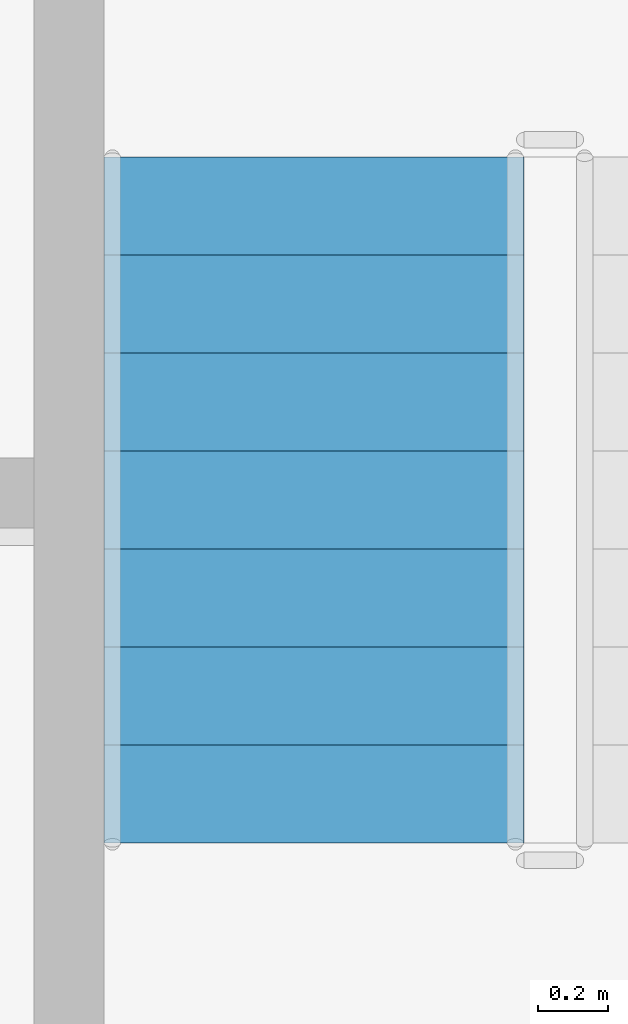
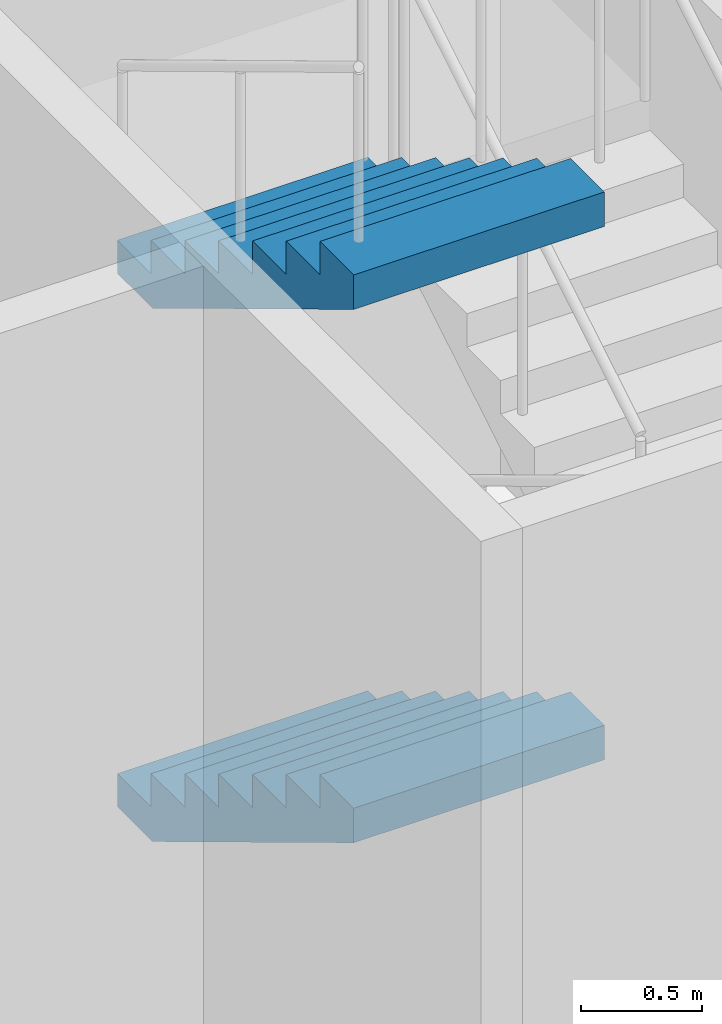
# One storey, part 41 of 101: 2 stair flights, 1 element without a shape of its own.
"""IFC4 building model written with IfcOpenShell, lengths in metres."""

from ifc_helpers import new_model, si_unit, direction, frame, origin, place, context, subcontext, project, spatial, triangles, material, type_object, element, aggregate, save


model = new_model("IFC4")

# Units and contexts
model_context = context("Model", 3, precision=1e-05, world=origin(), true_north=direction((0.0, 1.0)))
body_context = subcontext(model_context, "Body", "Model", "MODEL_VIEW")
ifc_project = project(units=[si_unit("LENGTHUNIT", "METRE"), si_unit("AREAUNIT", "SQUARE_METRE"), si_unit("VOLUMEUNIT", "CUBIC_METRE"), si_unit("PLANEANGLEUNIT", "RADIAN"), si_unit("MASSUNIT", "GRAM", prefix="KILO")], contexts=[model_context])

# Site, building, storey
site_placement = place(None, origin())
site = spatial("IfcSite", under=ifc_project, at=site_placement, CompositionType="ELEMENT")
building_placement = place(site_placement, origin())
building = spatial("IfcBuilding", under=site, at=building_placement, Name="Magnolia Steps Interchange", CompositionType="ELEMENT")
storey_placement = place(building_placement, frame((0.0, 0.0, -5.39990234375)))
storey = spatial("IfcBuildingStorey", under=building, at=storey_placement, Name="B1", CompositionType="ELEMENT", Elevation=-5.39990234375)

# Stair, stair flights
ifc_material_1 = material(Name="Concrete C40", Category="concrete")
stair_type = type_object("IfcStairType", Name="Exit stair 1200", PredefinedType="HALF_TURN_STAIR", material=ifc_material_1)
stair_placement = place(storey_placement, origin())
stair = element("IfcStair", 1, at=stair_placement, inside=storey, type_object=stair_type, Name="B1 Stair 18", PredefinedType="HALF_TURN_STAIR")
ifc_material_2 = material(Name="Concrete C40", Category="concrete")
stair_flight_type = type_object("IfcStairFlightType", Name="Exit stair flight", PredefinedType="STRAIGHT", material=ifc_material_2)
stair_flight_1_placement = place(storey_placement, frame((50.75, 40.659912109375, 1.349853515625), z_axis=(0.0, 0.0, 1.0), x_axis=(0.0, -1.0, 0.0)))
stair_flight_1 = element("IfcStairFlight", 2, at=stair_flight_1_placement, type_object=stair_flight_type, Name="Stair 18 flight 2", NumberOfRisers=8, NumberOfTreads=7, PredefinedType="STRAIGHT", RiserHeight=0.16875, TreadLength=0.28, context=body_context, shape_type="Tessellation", body=[
    triangles([(0.0, -0.5999755859375, 0.0), (0.29052734375, -0.5999755859375, 0.0), (1.9599609375, -0.5999755859375, 1.00634765625), (1.9599609375, -0.5999755859375, 1.18115234375), (1.679931640625, -0.5999755859375, 1.18115234375), (1.679931640625, -0.5999755859375, 1.012451171875), (1.39990234375, -0.5999755859375, 1.012451171875), (1.39990234375, -0.5999755859375, 0.84375), (1.1201171875, -0.5999755859375, 0.84375), (1.1201171875, -0.5999755859375, 0.675048828125), (0.840087890625, -0.5999755859375, 0.675048828125), (0.840087890625, -0.5999755859375, 0.50634765625), (0.56005859375, -0.5999755859375, 0.50634765625), (0.56005859375, -0.5999755859375, 0.33740234375), (0.280029296875, -0.5999755859375, 0.33740234375), (0.280029296875, -0.5999755859375, 0.168701171875), (0.0, -0.5999755859375, 0.168701171875), (0.0, 0.5999755859375, 0.0), (0.29052734375, 0.5999755859375, 0.0), (1.9599609375, 0.5999755859375, 1.00634765625), (1.9599609375, 0.5999755859375, 1.18115234375), (1.679931640625, 0.5999755859375, 1.18115234375), (1.679931640625, 0.5999755859375, 1.012451171875), (1.39990234375, 0.5999755859375, 1.012451171875), (1.39990234375, 0.5999755859375, 0.84375), (1.1201171875, 0.5999755859375, 0.84375), (1.1201171875, 0.5999755859375, 0.675048828125), (0.840087890625, 0.5999755859375, 0.675048828125), (0.840087890625, 0.5999755859375, 0.50634765625), (0.56005859375, 0.5999755859375, 0.50634765625), (0.56005859375, 0.5999755859375, 0.33740234375), (0.280029296875, 0.5999755859375, 0.33740234375), (0.280029296875, 0.5999755859375, 0.168701171875), (0.0, 0.5999755859375, 0.168701171875), (0.0, 0.0, 0.0), (0.0, 0.0, 0.04217529296875), (0.0, 0.0, 0.0843505859375), (0.0, 0.0, 0.12652587890625), (0.0, 0.0, 0.168701171875), (0.0, -0.05, 0.0), (0.0, -0.05, 0.168701171875), (0.0, 0.05, 0.0), (0.0, 0.05, 0.168701171875), (0.046671549479166664, 0.0, 0.168701171875), (0.09334309895833333, 0.0, 0.168701171875), (0.1400146484375, 0.0, 0.168701171875), (0.18668619791666666, 0.0, 0.168701171875), (0.23335774739583334, 0.0, 0.168701171875), (0.280029296875, 0.0, 0.168701171875), (0.280029296875, -0.05, 0.168701171875), (0.280029296875, 0.05, 0.168701171875), (0.280029296875, 0.0, 0.21087646484375), (0.280029296875, 0.0, 0.2530517578125), (0.280029296875, 0.0, 0.29522705078125), (0.280029296875, 0.0, 0.33740234375), (0.280029296875, -0.05, 0.33740234375), (0.280029296875, 0.05, 0.33740234375), (0.3267008463541667, 0.0, 0.33740234375), (0.3733723958333333, 0.0, 0.33740234375), (0.4200439453125, 0.0, 0.33740234375), (0.46671549479166663, 0.0, 0.33740234375), (0.5133870442708334, 0.0, 0.33740234375), (0.56005859375, 0.0, 0.33740234375), (0.56005859375, -0.05, 0.33740234375), (0.56005859375, 0.05, 0.33740234375), (0.56005859375, 0.0, 0.379638671875), (0.56005859375, 0.0, 0.421875), (0.56005859375, 0.0, 0.464111328125), (0.56005859375, 0.0, 0.50634765625), (0.56005859375, -0.05, 0.50634765625), (0.56005859375, 0.05, 0.50634765625), (0.6067301432291666, 0.0, 0.50634765625), (0.6534016927083334, 0.0, 0.50634765625), (0.7000732421875, 0.0, 0.50634765625), (0.7467447916666666, 0.0, 0.50634765625), (0.7934163411458334, 0.0, 0.50634765625), (0.840087890625, 0.0, 0.50634765625), (0.840087890625, -0.05, 0.50634765625), (0.840087890625, 0.05, 0.50634765625), (0.840087890625, 0.0, 0.54852294921875), (0.840087890625, 0.0, 0.5906982421875), (0.840087890625, 0.0, 0.63287353515625), (0.840087890625, 0.0, 0.675048828125), (0.840087890625, -0.05, 0.675048828125), (0.840087890625, 0.05, 0.675048828125), (0.8867594401041666, 0.0, 0.675048828125), (0.9334309895833334, 0.0, 0.675048828125), (0.9801025390625, 0.0, 0.675048828125), (1.0267740885416667, 0.0, 0.675048828125), (1.0734456380208333, 0.0, 0.675048828125), (1.1201171875, 0.0, 0.675048828125), (1.1201171875, -0.05, 0.675048828125), (1.1201171875, 0.05, 0.675048828125), (1.1201171875, 0.0, 0.71722412109375), (1.1201171875, 0.0, 0.7593994140625), (1.1201171875, 0.0, 0.80157470703125), (1.1201171875, 0.0, 0.84375), (1.1201171875, -0.05, 0.84375), (1.1201171875, 0.05, 0.84375), (1.1900634765625, 0.0, 0.84375), (1.260009765625, 0.0, 0.84375), (1.3299560546875, 0.0, 0.84375), (1.39990234375, 0.0, 0.84375), (1.39990234375, -0.05, 0.84375), (1.39990234375, 0.05, 0.84375), (1.39990234375, 0.0, 0.88592529296875), (1.39990234375, 0.0, 0.9281005859375), (1.39990234375, 0.0, 0.97027587890625), (1.39990234375, 0.0, 1.012451171875), (1.39990234375, -0.05, 1.012451171875), (1.39990234375, 0.05, 1.012451171875), (1.4465738932291667, 0.0, 1.012451171875), (1.4932454427083333, 0.0, 1.012451171875), (1.5399169921875, 0.0, 1.012451171875), (1.5865885416666667, 0.0, 1.012451171875), (1.6332600911458333, 0.0, 1.012451171875), (1.679931640625, 0.0, 1.012451171875), (1.679931640625, -0.05, 1.012451171875), (1.679931640625, 0.05, 1.012451171875), (1.679931640625, 0.0, 1.05462646484375), (1.679931640625, 0.0, 1.0968017578125), (1.679931640625, 0.0, 1.13897705078125), (1.679931640625, 0.0, 1.18115234375), (1.679931640625, -0.05, 1.18115234375), (1.679931640625, 0.05, 1.18115234375), (1.7266031901041667, 0.0, 1.18115234375), (1.7732747395833333, 0.0, 1.18115234375), (1.8199462890625, 0.0, 1.18115234375), (1.8666178385416667, 0.0, 1.18115234375), (1.9132893880208333, 0.0, 1.18115234375), (1.9599609375, 0.0, 1.18115234375), (1.9599609375, -0.05, 1.18115234375), (1.9599609375, 0.05, 1.18115234375), (1.9599609375, 0.0, 1.137451171875), (1.9599609375, 0.0, 1.09375), (1.9599609375, 0.0, 1.050048828125), (1.9599609375, 0.0, 1.00634765625), (1.9599609375, -0.05, 1.00634765625), (1.9599609375, 0.05, 1.00634765625), (1.9003383091517858, 0.0, 0.9704066685267857), (1.8407156808035714, 0.0, 0.9344656808035714), (1.7810930524553572, 0.0, 0.8985246930803571), (1.7214704241071428, 0.0, 0.8625837053571428), (1.6618477957589286, 0.0, 0.8266427176339286), (1.6022251674107144, 0.0, 0.7907017299107143), (1.5426025390625, 0.0, 0.7547607421875), (1.4829799107142856, 0.0, 0.7188197544642857), (1.4233572823660714, 0.0, 0.6828787667410714), (1.3637346540178572, 0.0, 0.6469377790178572), (1.3041120256696428, 0.0, 0.6109967912946428), (1.2444893973214286, 0.0, 0.5750558035714286), (1.1848667689732144, 0.0, 0.5391148158482143), (1.125244140625, 0.0, 0.503173828125), (1.0656215122767856, 0.0, 0.4672328404017857), (1.0059988839285714, 0.0, 0.4312918526785714), (0.9463762555803572, 0.0, 0.3953508649553571), (0.8867536272321428, 0.0, 0.3594098772321429), (0.8271309988839286, 0.0, 0.3234688895089286), (0.7675083705357142, 0.0, 0.2875279017857143), (0.7078857421875, 0.0, 0.2515869140625), (0.6482631138392858, 0.0, 0.2156459263392857), (0.5886404854910714, 0.0, 0.1797049386160714), (0.5290178571428572, 0.0, 0.1437639508928571), (0.4693952287946428, 0.0, 0.1078229631696429), (0.4097726004464286, 0.0, 0.0718819754464286), (0.3501499720982142, 0.0, 0.0359409877232143), (0.29052734375, 0.0, 0.0), (0.29052734375, -0.05, 0.0), (0.29052734375, 0.05, 0.0), (0.24210611979166666, 0.0, 0.0), (0.19368489583333331, 0.0, 0.0), (0.145263671875, 0.0, 0.0), (0.09684244791666666, 0.0, 0.0), (0.04842122395833334, 0.0, 0.0)], [[1, 2, 3], [3, 4, 5], [3, 5, 6], [3, 6, 7], [3, 7, 8], [8, 9, 10], [3, 8, 10], [10, 11, 12], [3, 10, 12], [12, 13, 14], [3, 12, 14], [14, 15, 16], [3, 14, 16], [1, 3, 16], [16, 17, 1], [18, 20, 19], [20, 22, 21], [20, 23, 22], [20, 24, 23], [20, 25, 24], [25, 27, 26], [20, 27, 25], [27, 29, 28], [20, 29, 27], [29, 31, 30], [20, 31, 29], [31, 33, 32], [20, 33, 31], [18, 33, 20], [33, 18, 34], [1, 17, 41], [1, 41, 40], [40, 36, 35], [40, 37, 36], [40, 41, 37], [41, 38, 37], [41, 39, 38], [18, 43, 34], [18, 42, 43], [42, 35, 36], [42, 36, 37], [42, 37, 43], [43, 37, 38], [43, 38, 39], [17, 16, 50], [17, 50, 41], [41, 44, 39], [41, 45, 44], [41, 46, 45], [41, 50, 46], [50, 47, 46], [50, 48, 47], [50, 49, 48], [34, 51, 33], [34, 43, 51], [43, 39, 44], [43, 44, 45], [43, 45, 46], [43, 46, 51], [51, 46, 47], [51, 47, 48], [51, 48, 49], [16, 15, 56], [16, 56, 50], [50, 52, 49], [50, 53, 52], [50, 56, 53], [56, 54, 53], [56, 55, 54], [33, 57, 32], [33, 51, 57], [51, 49, 52], [51, 52, 53], [51, 53, 57], [57, 53, 54], [57, 54, 55], [15, 14, 64], [15, 64, 56], [56, 58, 55], [56, 59, 58], [56, 60, 59], [56, 64, 60], [64, 61, 60], [64, 62, 61], [64, 63, 62], [32, 65, 31], [32, 57, 65], [57, 55, 58], [57, 58, 59], [57, 59, 60], [57, 60, 65], [65, 60, 61], [65, 61, 62], [65, 62, 63], [14, 13, 70], [14, 70, 64], [64, 66, 63], [64, 67, 66], [64, 70, 67], [70, 68, 67], [70, 69, 68], [31, 71, 30], [31, 65, 71], [65, 63, 66], [65, 66, 67], [65, 67, 71], [71, 67, 68], [71, 68, 69], [13, 12, 78], [13, 78, 70], [70, 72, 69], [70, 73, 72], [70, 74, 73], [70, 78, 74], [78, 75, 74], [78, 76, 75], [78, 77, 76], [30, 79, 29], [30, 71, 79], [71, 69, 72], [71, 72, 73], [71, 73, 74], [71, 74, 79], [79, 74, 75], [79, 75, 76], [79, 76, 77], [12, 11, 84], [12, 84, 78], [78, 80, 77], [78, 81, 80], [78, 84, 81], [84, 82, 81], [84, 83, 82], [29, 85, 28], [29, 79, 85], [79, 77, 80], [79, 80, 81], [79, 81, 85], [85, 81, 82], [85, 82, 83], [11, 10, 92], [11, 92, 84], [84, 86, 83], [84, 87, 86], [84, 88, 87], [84, 92, 88], [92, 89, 88], [92, 90, 89], [92, 91, 90], [28, 93, 27], [28, 85, 93], [85, 83, 86], [85, 86, 87], [85, 87, 88], [85, 88, 93], [93, 88, 89], [93, 89, 90], [93, 90, 91], [10, 9, 98], [10, 98, 92], [92, 94, 91], [92, 95, 94], [92, 98, 95], [98, 96, 95], [98, 97, 96], [27, 99, 26], [27, 93, 99], [93, 91, 94], [93, 94, 95], [93, 95, 99], [99, 95, 96], [99, 96, 97], [9, 8, 104], [9, 104, 98], [98, 100, 97], [98, 101, 100], [98, 104, 101], [104, 102, 101], [104, 103, 102], [26, 105, 25], [26, 99, 105], [99, 97, 100], [99, 100, 101], [99, 101, 105], [105, 101, 102], [105, 102, 103], [8, 7, 110], [8, 110, 104], [104, 106, 103], [104, 107, 106], [104, 110, 107], [110, 108, 107], [110, 109, 108], [25, 111, 24], [25, 105, 111], [105, 103, 106], [105, 106, 107], [105, 107, 111], [111, 107, 108], [111, 108, 109], [7, 6, 118], [7, 118, 110], [110, 112, 109], [110, 113, 112], [110, 114, 113], [110, 118, 114], [118, 115, 114], [118, 116, 115], [118, 117, 116], [24, 119, 23], [24, 111, 119], [111, 109, 112], [111, 112, 113], [111, 113, 114], [111, 114, 119], [119, 114, 115], [119, 115, 116], [119, 116, 117], [6, 5, 124], [6, 124, 118], [118, 120, 117], [118, 121, 120], [118, 124, 121], [124, 122, 121], [124, 123, 122], [23, 125, 22], [23, 119, 125], [119, 117, 120], [119, 120, 121], [119, 121, 125], [125, 121, 122], [125, 122, 123], [5, 4, 132], [5, 132, 124], [124, 126, 123], [124, 127, 126], [124, 128, 127], [124, 132, 128], [132, 129, 128], [132, 130, 129], [132, 131, 130], [22, 133, 21], [22, 125, 133], [125, 123, 126], [125, 126, 127], [125, 127, 128], [125, 128, 133], [133, 128, 129], [133, 129, 130], [133, 130, 131], [4, 3, 138], [4, 138, 132], [132, 134, 131], [132, 135, 134], [132, 138, 135], [138, 136, 135], [138, 137, 136], [21, 139, 20], [21, 133, 139], [133, 131, 134], [133, 134, 135], [133, 135, 139], [139, 135, 136], [139, 136, 137], [3, 2, 168], [3, 168, 138], [138, 140, 137], [138, 141, 140], [138, 142, 141], [138, 143, 142], [138, 144, 143], [138, 145, 144], [138, 146, 145], [138, 147, 146], [138, 148, 147], [138, 149, 148], [138, 150, 149], [138, 151, 150], [138, 152, 151], [138, 153, 152], [138, 168, 153], [168, 154, 153], [168, 155, 154], [168, 156, 155], [168, 157, 156], [168, 158, 157], [168, 159, 158], [168, 160, 159], [168, 161, 160], [168, 162, 161], [168, 163, 162], [168, 164, 163], [168, 165, 164], [168, 166, 165], [168, 167, 166], [20, 169, 19], [20, 139, 169], [139, 137, 140], [139, 140, 141], [139, 141, 142], [139, 142, 143], [139, 143, 144], [139, 144, 145], [139, 145, 146], [139, 146, 147], [139, 147, 148], [139, 148, 149], [139, 149, 150], [139, 150, 151], [139, 151, 152], [139, 152, 153], [139, 153, 169], [169, 153, 154], [169, 154, 155], [169, 155, 156], [169, 156, 157], [169, 157, 158], [169, 158, 159], [169, 159, 160], [169, 160, 161], [169, 161, 162], [169, 162, 163], [169, 163, 164], [169, 164, 165], [169, 165, 166], [169, 166, 167], [2, 1, 40], [2, 40, 168], [168, 170, 167], [168, 171, 170], [168, 172, 171], [168, 40, 172], [40, 173, 172], [40, 174, 173], [40, 35, 174], [19, 42, 18], [19, 169, 42], [169, 167, 170], [169, 170, 171], [169, 171, 172], [169, 172, 42], [42, 172, 173], [42, 173, 174], [42, 174, 35]], closed=True),
])
stair_flight_2_placement = place(storey_placement, frame((50.75, 40.659912109375, 4.0498046875), z_axis=(0.0, 0.0, 1.0), x_axis=(0.0, -1.0, 0.0)))
stair_flight_2 = element("IfcStairFlight", 3, at=stair_flight_2_placement, type_object=stair_flight_type, Name="Stair 18 flight 4", NumberOfRisers=8, NumberOfTreads=7, PredefinedType="STRAIGHT", RiserHeight=0.16875, TreadLength=0.28, context=body_context, shape_type="Tessellation", body=[
    triangles([(0.0, -0.5999755859375, 0.0), (0.29052734375, -0.5999755859375, 0.0), (1.9599609375, -0.5999755859375, 1.00634765625), (1.9599609375, -0.5999755859375, 1.18115234375), (1.679931640625, -0.5999755859375, 1.18115234375), (1.679931640625, -0.5999755859375, 1.012451171875), (1.39990234375, -0.5999755859375, 1.012451171875), (1.39990234375, -0.5999755859375, 0.84375), (1.1201171875, -0.5999755859375, 0.84375), (1.1201171875, -0.5999755859375, 0.675048828125), (0.840087890625, -0.5999755859375, 0.675048828125), (0.840087890625, -0.5999755859375, 0.50634765625), (0.56005859375, -0.5999755859375, 0.50634765625), (0.56005859375, -0.5999755859375, 0.33740234375), (0.280029296875, -0.5999755859375, 0.33740234375), (0.280029296875, -0.5999755859375, 0.168701171875), (0.0, -0.5999755859375, 0.168701171875), (0.0, 0.5999755859375, 0.0), (0.29052734375, 0.5999755859375, 0.0), (1.9599609375, 0.5999755859375, 1.00634765625), (1.9599609375, 0.5999755859375, 1.18115234375), (1.679931640625, 0.5999755859375, 1.18115234375), (1.679931640625, 0.5999755859375, 1.012451171875), (1.39990234375, 0.5999755859375, 1.012451171875), (1.39990234375, 0.5999755859375, 0.84375), (1.1201171875, 0.5999755859375, 0.84375), (1.1201171875, 0.5999755859375, 0.675048828125), (0.840087890625, 0.5999755859375, 0.675048828125), (0.840087890625, 0.5999755859375, 0.50634765625), (0.56005859375, 0.5999755859375, 0.50634765625), (0.56005859375, 0.5999755859375, 0.33740234375), (0.280029296875, 0.5999755859375, 0.33740234375), (0.280029296875, 0.5999755859375, 0.168701171875), (0.0, 0.5999755859375, 0.168701171875), (0.0, 0.0, 0.0), (0.0, 0.0, 0.04217529296875), (0.0, 0.0, 0.0843505859375), (0.0, 0.0, 0.12652587890625), (0.0, 0.0, 0.168701171875), (0.0, -0.05, 0.0), (0.0, -0.05, 0.168701171875), (0.0, 0.05, 0.0), (0.0, 0.05, 0.168701171875), (0.046671549479166664, 0.0, 0.168701171875), (0.09334309895833333, 0.0, 0.168701171875), (0.1400146484375, 0.0, 0.168701171875), (0.18668619791666666, 0.0, 0.168701171875), (0.23335774739583334, 0.0, 0.168701171875), (0.280029296875, 0.0, 0.168701171875), (0.280029296875, -0.05, 0.168701171875), (0.280029296875, 0.05, 0.168701171875), (0.280029296875, 0.0, 0.21087646484375), (0.280029296875, 0.0, 0.2530517578125), (0.280029296875, 0.0, 0.29522705078125), (0.280029296875, 0.0, 0.33740234375), (0.280029296875, -0.05, 0.33740234375), (0.280029296875, 0.05, 0.33740234375), (0.3267008463541667, 0.0, 0.33740234375), (0.3733723958333333, 0.0, 0.33740234375), (0.4200439453125, 0.0, 0.33740234375), (0.46671549479166663, 0.0, 0.33740234375), (0.5133870442708334, 0.0, 0.33740234375), (0.56005859375, 0.0, 0.33740234375), (0.56005859375, -0.05, 0.33740234375), (0.56005859375, 0.05, 0.33740234375), (0.56005859375, 0.0, 0.379638671875), (0.56005859375, 0.0, 0.421875), (0.56005859375, 0.0, 0.464111328125), (0.56005859375, 0.0, 0.50634765625), (0.56005859375, -0.05, 0.50634765625), (0.56005859375, 0.05, 0.50634765625), (0.6067301432291666, 0.0, 0.50634765625), (0.6534016927083334, 0.0, 0.50634765625), (0.7000732421875, 0.0, 0.50634765625), (0.7467447916666666, 0.0, 0.50634765625), (0.7934163411458334, 0.0, 0.50634765625), (0.840087890625, 0.0, 0.50634765625), (0.840087890625, -0.05, 0.50634765625), (0.840087890625, 0.05, 0.50634765625), (0.840087890625, 0.0, 0.54852294921875), (0.840087890625, 0.0, 0.5906982421875), (0.840087890625, 0.0, 0.63287353515625), (0.840087890625, 0.0, 0.675048828125), (0.840087890625, -0.05, 0.675048828125), (0.840087890625, 0.05, 0.675048828125), (0.8867594401041666, 0.0, 0.675048828125), (0.9334309895833334, 0.0, 0.675048828125), (0.9801025390625, 0.0, 0.675048828125), (1.0267740885416667, 0.0, 0.675048828125), (1.0734456380208333, 0.0, 0.675048828125), (1.1201171875, 0.0, 0.675048828125), (1.1201171875, -0.05, 0.675048828125), (1.1201171875, 0.05, 0.675048828125), (1.1201171875, 0.0, 0.71722412109375), (1.1201171875, 0.0, 0.7593994140625), (1.1201171875, 0.0, 0.80157470703125), (1.1201171875, 0.0, 0.84375), (1.1201171875, -0.05, 0.84375), (1.1201171875, 0.05, 0.84375), (1.1900634765625, 0.0, 0.84375), (1.260009765625, 0.0, 0.84375), (1.3299560546875, 0.0, 0.84375), (1.39990234375, 0.0, 0.84375), (1.39990234375, -0.05, 0.84375), (1.39990234375, 0.05, 0.84375), (1.39990234375, 0.0, 0.88592529296875), (1.39990234375, 0.0, 0.9281005859375), (1.39990234375, 0.0, 0.97027587890625), (1.39990234375, 0.0, 1.012451171875), (1.39990234375, -0.05, 1.012451171875), (1.39990234375, 0.05, 1.012451171875), (1.4465738932291667, 0.0, 1.012451171875), (1.4932454427083333, 0.0, 1.012451171875), (1.5399169921875, 0.0, 1.012451171875), (1.5865885416666667, 0.0, 1.012451171875), (1.6332600911458333, 0.0, 1.012451171875), (1.679931640625, 0.0, 1.012451171875), (1.679931640625, -0.05, 1.012451171875), (1.679931640625, 0.05, 1.012451171875), (1.679931640625, 0.0, 1.05462646484375), (1.679931640625, 0.0, 1.0968017578125), (1.679931640625, 0.0, 1.13897705078125), (1.679931640625, 0.0, 1.18115234375), (1.679931640625, -0.05, 1.18115234375), (1.679931640625, 0.05, 1.18115234375), (1.7266031901041667, 0.0, 1.18115234375), (1.7732747395833333, 0.0, 1.18115234375), (1.8199462890625, 0.0, 1.18115234375), (1.8666178385416667, 0.0, 1.18115234375), (1.9132893880208333, 0.0, 1.18115234375), (1.9599609375, 0.0, 1.18115234375), (1.9599609375, -0.05, 1.18115234375), (1.9599609375, 0.05, 1.18115234375), (1.9599609375, 0.0, 1.137451171875), (1.9599609375, 0.0, 1.09375), (1.9599609375, 0.0, 1.050048828125), (1.9599609375, 0.0, 1.00634765625), (1.9599609375, -0.05, 1.00634765625), (1.9599609375, 0.05, 1.00634765625), (1.9003383091517858, 0.0, 0.9704066685267857), (1.8407156808035714, 0.0, 0.9344656808035714), (1.7810930524553572, 0.0, 0.8985246930803571), (1.7214704241071428, 0.0, 0.8625837053571428), (1.6618477957589286, 0.0, 0.8266427176339286), (1.6022251674107144, 0.0, 0.7907017299107143), (1.5426025390625, 0.0, 0.7547607421875), (1.4829799107142856, 0.0, 0.7188197544642857), (1.4233572823660714, 0.0, 0.6828787667410714), (1.3637346540178572, 0.0, 0.6469377790178572), (1.3041120256696428, 0.0, 0.6109967912946428), (1.2444893973214286, 0.0, 0.5750558035714286), (1.1848667689732144, 0.0, 0.5391148158482143), (1.125244140625, 0.0, 0.503173828125), (1.0656215122767856, 0.0, 0.4672328404017857), (1.0059988839285714, 0.0, 0.4312918526785714), (0.9463762555803572, 0.0, 0.3953508649553571), (0.8867536272321428, 0.0, 0.3594098772321429), (0.8271309988839286, 0.0, 0.3234688895089286), (0.7675083705357142, 0.0, 0.2875279017857143), (0.7078857421875, 0.0, 0.2515869140625), (0.6482631138392858, 0.0, 0.2156459263392857), (0.5886404854910714, 0.0, 0.1797049386160714), (0.5290178571428572, 0.0, 0.1437639508928571), (0.4693952287946428, 0.0, 0.1078229631696429), (0.4097726004464286, 0.0, 0.0718819754464286), (0.3501499720982142, 0.0, 0.0359409877232143), (0.29052734375, 0.0, 0.0), (0.29052734375, -0.05, 0.0), (0.29052734375, 0.05, 0.0), (0.24210611979166666, 0.0, 0.0), (0.19368489583333331, 0.0, 0.0), (0.145263671875, 0.0, 0.0), (0.09684244791666666, 0.0, 0.0), (0.04842122395833334, 0.0, 0.0)], [[1, 2, 3], [3, 4, 5], [3, 5, 6], [3, 6, 7], [3, 7, 8], [8, 9, 10], [3, 8, 10], [10, 11, 12], [3, 10, 12], [12, 13, 14], [3, 12, 14], [14, 15, 16], [3, 14, 16], [1, 3, 16], [16, 17, 1], [18, 20, 19], [20, 22, 21], [20, 23, 22], [20, 24, 23], [20, 25, 24], [25, 27, 26], [20, 27, 25], [27, 29, 28], [20, 29, 27], [29, 31, 30], [20, 31, 29], [31, 33, 32], [20, 33, 31], [18, 33, 20], [33, 18, 34], [1, 17, 41], [1, 41, 40], [40, 36, 35], [40, 37, 36], [40, 41, 37], [41, 38, 37], [41, 39, 38], [18, 43, 34], [18, 42, 43], [42, 35, 36], [42, 36, 37], [42, 37, 43], [43, 37, 38], [43, 38, 39], [17, 16, 50], [17, 50, 41], [41, 44, 39], [41, 45, 44], [41, 46, 45], [41, 50, 46], [50, 47, 46], [50, 48, 47], [50, 49, 48], [34, 51, 33], [34, 43, 51], [43, 39, 44], [43, 44, 45], [43, 45, 46], [43, 46, 51], [51, 46, 47], [51, 47, 48], [51, 48, 49], [16, 15, 56], [16, 56, 50], [50, 52, 49], [50, 53, 52], [50, 56, 53], [56, 54, 53], [56, 55, 54], [33, 57, 32], [33, 51, 57], [51, 49, 52], [51, 52, 53], [51, 53, 57], [57, 53, 54], [57, 54, 55], [15, 14, 64], [15, 64, 56], [56, 58, 55], [56, 59, 58], [56, 60, 59], [56, 64, 60], [64, 61, 60], [64, 62, 61], [64, 63, 62], [32, 65, 31], [32, 57, 65], [57, 55, 58], [57, 58, 59], [57, 59, 60], [57, 60, 65], [65, 60, 61], [65, 61, 62], [65, 62, 63], [14, 13, 70], [14, 70, 64], [64, 66, 63], [64, 67, 66], [64, 70, 67], [70, 68, 67], [70, 69, 68], [31, 71, 30], [31, 65, 71], [65, 63, 66], [65, 66, 67], [65, 67, 71], [71, 67, 68], [71, 68, 69], [13, 12, 78], [13, 78, 70], [70, 72, 69], [70, 73, 72], [70, 74, 73], [70, 78, 74], [78, 75, 74], [78, 76, 75], [78, 77, 76], [30, 79, 29], [30, 71, 79], [71, 69, 72], [71, 72, 73], [71, 73, 74], [71, 74, 79], [79, 74, 75], [79, 75, 76], [79, 76, 77], [12, 11, 84], [12, 84, 78], [78, 80, 77], [78, 81, 80], [78, 84, 81], [84, 82, 81], [84, 83, 82], [29, 85, 28], [29, 79, 85], [79, 77, 80], [79, 80, 81], [79, 81, 85], [85, 81, 82], [85, 82, 83], [11, 10, 92], [11, 92, 84], [84, 86, 83], [84, 87, 86], [84, 88, 87], [84, 92, 88], [92, 89, 88], [92, 90, 89], [92, 91, 90], [28, 93, 27], [28, 85, 93], [85, 83, 86], [85, 86, 87], [85, 87, 88], [85, 88, 93], [93, 88, 89], [93, 89, 90], [93, 90, 91], [10, 9, 98], [10, 98, 92], [92, 94, 91], [92, 95, 94], [92, 98, 95], [98, 96, 95], [98, 97, 96], [27, 99, 26], [27, 93, 99], [93, 91, 94], [93, 94, 95], [93, 95, 99], [99, 95, 96], [99, 96, 97], [9, 8, 104], [9, 104, 98], [98, 100, 97], [98, 101, 100], [98, 104, 101], [104, 102, 101], [104, 103, 102], [26, 105, 25], [26, 99, 105], [99, 97, 100], [99, 100, 101], [99, 101, 105], [105, 101, 102], [105, 102, 103], [8, 7, 110], [8, 110, 104], [104, 106, 103], [104, 107, 106], [104, 110, 107], [110, 108, 107], [110, 109, 108], [25, 111, 24], [25, 105, 111], [105, 103, 106], [105, 106, 107], [105, 107, 111], [111, 107, 108], [111, 108, 109], [7, 6, 118], [7, 118, 110], [110, 112, 109], [110, 113, 112], [110, 114, 113], [110, 118, 114], [118, 115, 114], [118, 116, 115], [118, 117, 116], [24, 119, 23], [24, 111, 119], [111, 109, 112], [111, 112, 113], [111, 113, 114], [111, 114, 119], [119, 114, 115], [119, 115, 116], [119, 116, 117], [6, 5, 124], [6, 124, 118], [118, 120, 117], [118, 121, 120], [118, 124, 121], [124, 122, 121], [124, 123, 122], [23, 125, 22], [23, 119, 125], [119, 117, 120], [119, 120, 121], [119, 121, 125], [125, 121, 122], [125, 122, 123], [5, 4, 132], [5, 132, 124], [124, 126, 123], [124, 127, 126], [124, 128, 127], [124, 132, 128], [132, 129, 128], [132, 130, 129], [132, 131, 130], [22, 133, 21], [22, 125, 133], [125, 123, 126], [125, 126, 127], [125, 127, 128], [125, 128, 133], [133, 128, 129], [133, 129, 130], [133, 130, 131], [4, 3, 138], [4, 138, 132], [132, 134, 131], [132, 135, 134], [132, 138, 135], [138, 136, 135], [138, 137, 136], [21, 139, 20], [21, 133, 139], [133, 131, 134], [133, 134, 135], [133, 135, 139], [139, 135, 136], [139, 136, 137], [3, 2, 168], [3, 168, 138], [138, 140, 137], [138, 141, 140], [138, 142, 141], [138, 143, 142], [138, 144, 143], [138, 145, 144], [138, 146, 145], [138, 147, 146], [138, 148, 147], [138, 149, 148], [138, 150, 149], [138, 151, 150], [138, 152, 151], [138, 153, 152], [138, 168, 153], [168, 154, 153], [168, 155, 154], [168, 156, 155], [168, 157, 156], [168, 158, 157], [168, 159, 158], [168, 160, 159], [168, 161, 160], [168, 162, 161], [168, 163, 162], [168, 164, 163], [168, 165, 164], [168, 166, 165], [168, 167, 166], [20, 169, 19], [20, 139, 169], [139, 137, 140], [139, 140, 141], [139, 141, 142], [139, 142, 143], [139, 143, 144], [139, 144, 145], [139, 145, 146], [139, 146, 147], [139, 147, 148], [139, 148, 149], [139, 149, 150], [139, 150, 151], [139, 151, 152], [139, 152, 153], [139, 153, 169], [169, 153, 154], [169, 154, 155], [169, 155, 156], [169, 156, 157], [169, 157, 158], [169, 158, 159], [169, 159, 160], [169, 160, 161], [169, 161, 162], [169, 162, 163], [169, 163, 164], [169, 164, 165], [169, 165, 166], [169, 166, 167], [2, 1, 40], [2, 40, 168], [168, 170, 167], [168, 171, 170], [168, 172, 171], [168, 40, 172], [40, 173, 172], [40, 174, 173], [40, 35, 174], [19, 42, 18], [19, 169, 42], [169, 167, 170], [169, 170, 171], [169, 171, 172], [169, 172, 42], [42, 172, 173], [42, 173, 174], [42, 174, 35]], closed=True),
])
aggregate(stair, [stair_flight_1, stair_flight_2])

save(model, "model.ifc")
